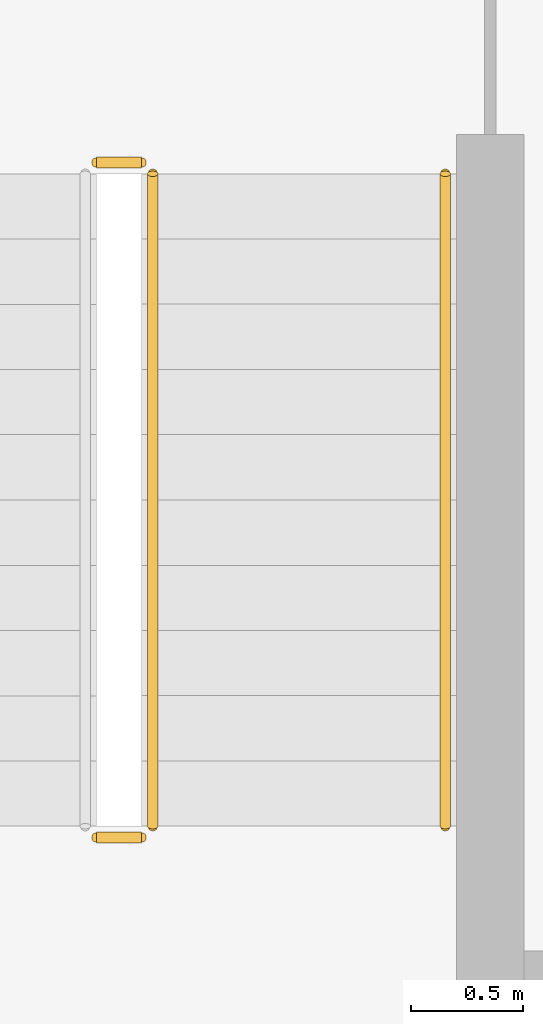
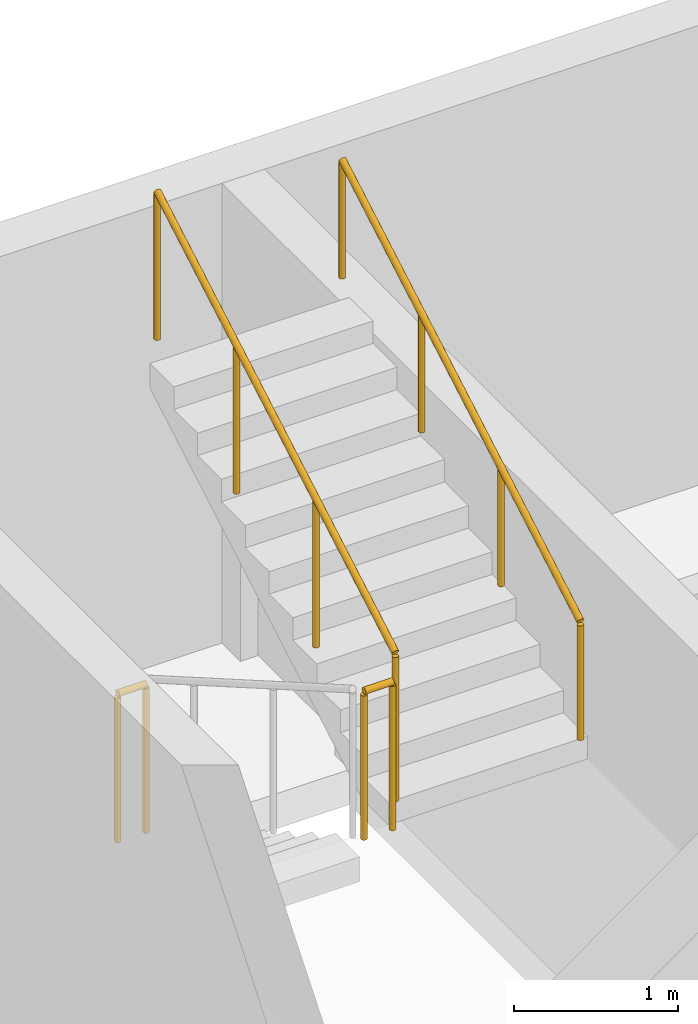
# One storey, part 65 of 73: 4 railings.
"""IFC4 building model written with IfcOpenShell, lengths in metres."""

from ifc_helpers import new_model, si_unit, derived_unit, direction, frame, origin, origin_2d, place, context, subcontext, project, spatial, circle, extrude, material, type_object, element, save


model = new_model("IFC4")

# Units and contexts
model_context = context("Model", 3, precision=1e-05, world=origin(), true_north=direction((0.0, 1.0)))
body_context = subcontext(model_context, "Body", "Model", "MODEL_VIEW")
ifc_project = project(units=[si_unit("LENGTHUNIT", "METRE"), si_unit("AREAUNIT", "SQUARE_METRE"), si_unit("VOLUMEUNIT", "CUBIC_METRE"), si_unit("PLANEANGLEUNIT", "RADIAN"), si_unit("MASSUNIT", "GRAM", prefix="KILO"), derived_unit("THERMALTRANSMITTANCEUNIT", [(si_unit("MASSUNIT", "GRAM", prefix="KILO"), 1), (si_unit("TIMEUNIT", "SECOND"), -3), (si_unit("THERMODYNAMICTEMPERATUREUNIT", "KELVIN"), -1)])], contexts=[model_context])

# Site, building, storey
site_placement = place(None, origin())
site = spatial("IfcSite", under=ifc_project, at=site_placement, CompositionType="ELEMENT")
building_placement = place(site_placement, origin())
building = spatial("IfcBuilding", under=site, at=building_placement, Name="Ochrekiln Boulevard Commons", CompositionType="ELEMENT")
storey_placement = place(building_placement, frame((0.0, 0.0, 4.89990234375)))
storey = spatial("IfcBuildingStorey", under=building, at=storey_placement, Name="L01", CompositionType="ELEMENT", Elevation=4.89990234375)

# Railings
ifc_material = material(Name="Brushed stainless steel 316 tubular railing", Category="steel")
railing_type_1 = type_object("IfcRailingType", Name="RLG-HDR-900", PredefinedType="HANDRAIL", material=ifc_material)
railing_1_placement = place(storey_placement, frame((9.35009765625, 114.030029296875, 2.004638671875)))
element("IfcRailing", 1, at=railing_1_placement, inside=storey, type_object=railing_type_1, Name="L01 ST-A2 stair handrail 2", PredefinedType="HANDRAIL", context=body_context, shape_type="SweptSolid", body=[
    extrude(circle(Radius=0.02392578125, at=origin_2d()), frame((0.0, 0.0, 0.8759765625), z_axis=(0.0, 0.866523023801, 0.499137104634), x_axis=(-1.0, 0.0, 0.0)), (0.0, 0.0, 1.0), 3.3466796875),
    extrude(circle(Radius=0.02099609375, at=origin_2d()), origin(), (0.0, 0.0, 1.0), 0.851806640625),
    extrude(circle(Radius=0.02099609375, at=origin_2d()), frame((0.0, 0.966552734375, 0.556884765625)), (0.0, 0.0, 1.0), 0.851806640625),
    extrude(circle(Radius=0.02099609375, at=origin_2d()), frame((0.0, 1.933349609375, 1.113525390625)), (0.0, 0.0, 1.0), 0.851806640625),
    extrude(circle(Radius=0.02099609375, at=origin_2d()), frame((0.0, 2.89990234375, 1.67041015625)), (0.0, 0.0, 1.0), 0.851806640625),
])
railing_type_2 = type_object("IfcRailingType", Name="RLG-STR-1120", PredefinedType="BALUSTRADE", material=ifc_material)
railing_2_placement = place(storey_placement, frame((7.800048828125, 113.97998046875, 1.837646484375)))
element("IfcRailing", 2, at=railing_2_placement, inside=storey, type_object=railing_type_2, Name="L01 ST-A2 stair guard 2", PredefinedType="BALUSTRADE", context=body_context, shape_type="SweptSolid", body=[
    extrude(circle(Radius=0.02392578125, at=origin_2d()), frame((0.0, 0.0, 1.09619140625), z_axis=(1.0, 0.0, 0.0), x_axis=(0.0, 1.0, 0.0)), (0.0, 0.0, 1.0), 0.199951171875),
    extrude(circle(Radius=0.02099609375, at=origin_2d()), origin(), (0.0, 0.0, 1.0), 1.072021484375),
    extrude(circle(Radius=0.02099609375, at=origin_2d()), frame((0.199951171875, 0.0, 0.0)), (0.0, 0.0, 1.0), 1.072021484375),
])
railing_3_placement = place(storey_placement, frame((8.050048828125, 114.030029296875, 2.004638671875)))
element("IfcRailing", 3, at=railing_3_placement, inside=storey, type_object=railing_type_2, Name="L01 ST-A2 stair guard 3", PredefinedType="BALUSTRADE", context=body_context, shape_type="SweptSolid", body=[
    extrude(circle(Radius=0.02392578125, at=origin_2d()), frame((0.0, 0.0, 1.09619140625), z_axis=(0.0, 0.866523023801, 0.499137104634), x_axis=(-1.0, 0.0, 0.0)), (0.0, 0.0, 1.0), 3.3466796875),
    extrude(circle(Radius=0.02099609375, at=origin_2d()), origin(), (0.0, 0.0, 1.0), 1.072021484375),
    extrude(circle(Radius=0.02099609375, at=origin_2d()), frame((0.0, 0.966552734375, 0.556884765625)), (0.0, 0.0, 1.0), 1.072021484375),
    extrude(circle(Radius=0.02099609375, at=origin_2d()), frame((0.0, 1.933349609375, 1.113525390625)), (0.0, 0.0, 1.0), 1.072021484375),
    extrude(circle(Radius=0.02099609375, at=origin_2d()), frame((0.0, 2.89990234375, 1.67041015625)), (0.0, 0.0, 1.0), 1.072021484375),
])
railing_4_placement = place(storey_placement, frame((7.800048828125, 116.97998046875, 0.0)))
element("IfcRailing", 4, at=railing_4_placement, inside=storey, type_object=railing_type_2, Name="L01 ST-A2 stair guard 4", PredefinedType="BALUSTRADE", context=body_context, shape_type="SweptSolid", body=[
    extrude(circle(Radius=0.02392578125, at=origin_2d()), frame((0.0, 0.0, 1.09619140625), z_axis=(1.0, 0.0, 0.0), x_axis=(0.0, 1.0, 0.0)), (0.0, 0.0, 1.0), 0.199951171875),
    extrude(circle(Radius=0.02099609375, at=origin_2d()), origin(), (0.0, 0.0, 1.0), 1.072021484375),
    extrude(circle(Radius=0.02099609375, at=origin_2d()), frame((0.199951171875, 0.0, 0.0)), (0.0, 0.0, 1.0), 1.072021484375),
])

save(model, "model.ifc")
